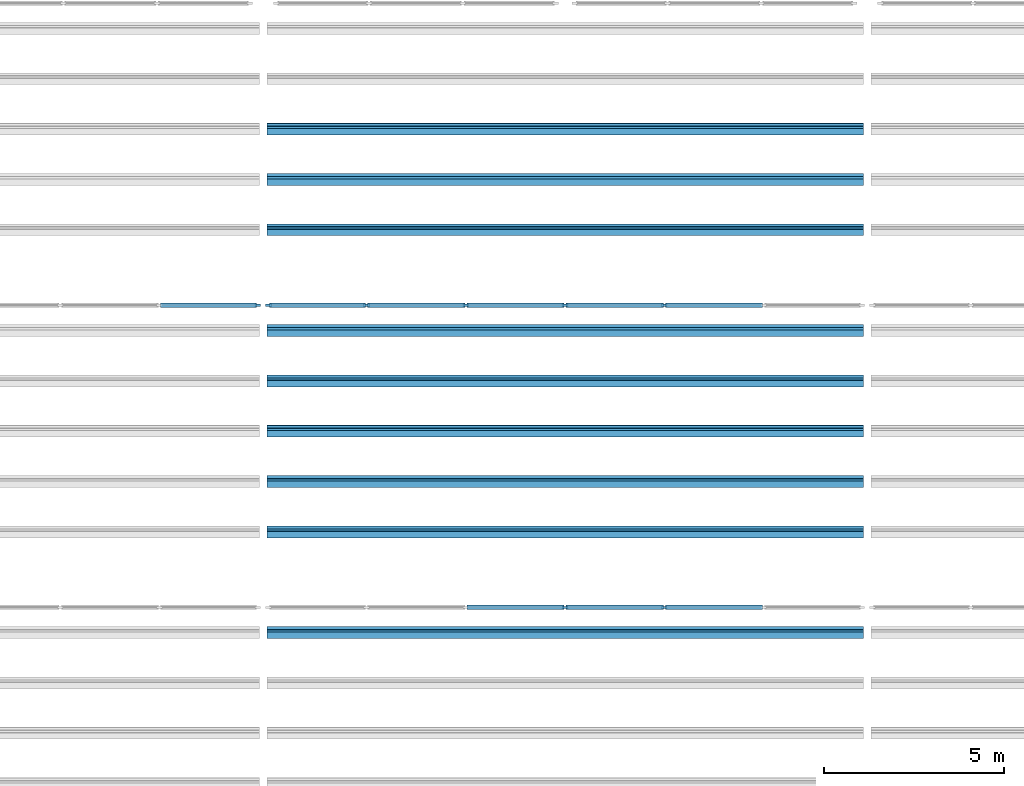
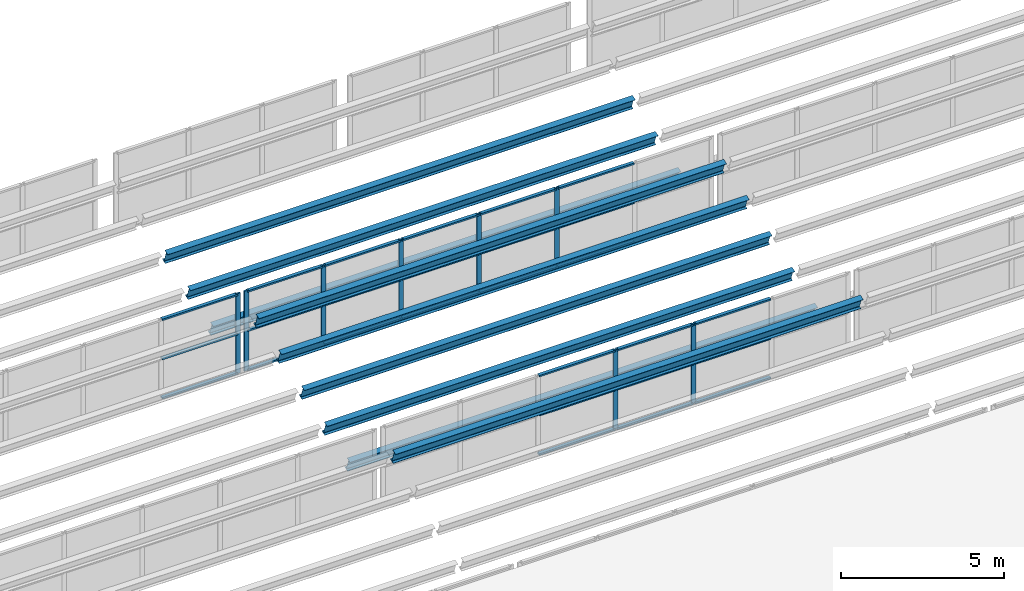
# One storey, part 15 of 116: 44 members, 3 elements without a shape of their own.
"""IFC4 building model written with IfcOpenShell, lengths in metres."""

from ifc_helpers import new_model, si_unit, direction, frame, origin, origin_2d, place, context, subcontext, project, spatial, rectangle, i_section, extrude, material, material_profile, profile_set, type_object, element, aggregate, save


model = new_model("IFC4")

# Units and contexts
model_context = context("Model", 3, precision=1e-05, world=origin(), true_north=direction((0.0, 1.0)))
body_context = subcontext(model_context, "Body", "Model", "MODEL_VIEW")
ifc_project = project(units=[si_unit("LENGTHUNIT", "METRE"), si_unit("AREAUNIT", "SQUARE_METRE"), si_unit("VOLUMEUNIT", "CUBIC_METRE"), si_unit("PLANEANGLEUNIT", "RADIAN"), si_unit("MASSUNIT", "GRAM", prefix="KILO")], contexts=[model_context])

# Site, building, storey
site_placement = place(None, origin())
site = spatial("IfcSite", under=ifc_project, at=site_placement, CompositionType="ELEMENT")
building_placement = place(site_placement, origin())
building = spatial("IfcBuilding", under=site, at=building_placement, Name="Fescue Hill Polytechnic", CompositionType="ELEMENT")
storey_placement = place(building_placement, frame((0.0, 0.0, 13.5)))
storey = spatial("IfcBuildingStorey", under=building, at=storey_placement, Name="L03", CompositionType="ELEMENT", Elevation=13.5)

# Curtain wall, members
ifc_material_1 = material(Name="Aluminium and glass", Category="aluminium")
curtain_wall_type = type_object("IfcCurtainWallType", Name="Sawtooth north glazing curtain wall", PredefinedType="NOTDEFINED", material=ifc_material_1)
curtain_wall_1_placement = place(storey_placement, origin())
curtain_wall_1 = element("IfcCurtainWall", 1, at=curtain_wall_1_placement, inside=storey, type_object=curtain_wall_type, Name="Sawtooth 2 north glazing bay 4", PredefinedType="NOTDEFINED")
ifc_material_2 = material(Name="Aluminium", Category="aluminium")
ifc_material_profile_1 = material_profile(ifc_material_2, rectangle(XDim=0.06005859375, YDim=0.159912109375, at=origin_2d()), Name="Curtain wall mullion 60x160")
ifc_profile_set_1 = profile_set([ifc_material_profile_1], Name="Aluminium")
member_type_1 = type_object("IfcMemberType", Name="Curtain wall mullion 60x160", PredefinedType="MULLION", material=ifc_profile_set_1)
member_1_placement = place(storey_placement, frame((58.800048828125, 33.60009765625, 0.0), z_axis=(0.0, 0.0, 1.0), x_axis=(0.0, 1.0, 0.0)))
member_1 = element("IfcMember", 2, at=member_1_placement, type_object=member_type_1, Name="CW11 mullion 4", PredefinedType="MULLION", context=body_context, shape_type="SweptSolid", body=[
    extrude(rectangle(XDim=0.06005859375, YDim=0.159912109375, at=origin_2d()), origin(), (0.0, 0.0, 1.0), 3.0),
])
member_2_placement = place(storey_placement, frame((61.56005859375, 33.60009765625, 0.0), z_axis=(0.0, 0.0, 1.0), x_axis=(0.0, 1.0, 0.0)))
member_2 = element("IfcMember", 3, at=member_2_placement, type_object=member_type_1, Name="CW11 mullion 5", PredefinedType="MULLION", context=body_context, shape_type="SweptSolid", body=[
    extrude(rectangle(XDim=0.06005859375, YDim=0.159912109375, at=origin_2d()), origin(), (0.0, 0.0, 1.0), 3.0),
])

# Curtain wall, member
curtain_wall_2_placement = place(storey_placement, origin())
curtain_wall_2 = element("IfcCurtainWall", 4, at=curtain_wall_2_placement, inside=storey, type_object=curtain_wall_type, Name="Sawtooth 3 north glazing bay 3", PredefinedType="NOTDEFINED")
member_3_placement = place(storey_placement, frame((50.25, 42.0, 0.0), z_axis=(0.0, 0.0, 1.0), x_axis=(0.0, 1.0, 0.0)))
member_3 = element("IfcMember", 5, at=member_3_placement, type_object=member_type_1, Name="CW17 mullion 7", PredefinedType="MULLION", context=body_context, shape_type="SweptSolid", body=[
    extrude(rectangle(XDim=0.06005859375, YDim=0.159912109375, at=origin_2d()), origin(), (0.0, 0.0, 1.0), 3.0),
])

# Curtain wall, members
curtain_wall_3_placement = place(storey_placement, origin())
curtain_wall_3 = element("IfcCurtainWall", 6, at=curtain_wall_3_placement, inside=storey, type_object=curtain_wall_type, Name="Sawtooth 3 north glazing bay 4", PredefinedType="NOTDEFINED")
member_4_placement = place(storey_placement, frame((50.550048828125, 42.0, 0.0), z_axis=(0.0, 0.0, 1.0), x_axis=(0.0, 1.0, 0.0)))
member_4 = element("IfcMember", 7, at=member_4_placement, type_object=member_type_1, Name="CW18 mullion 1", PredefinedType="MULLION", context=body_context, shape_type="SweptSolid", body=[
    extrude(rectangle(XDim=0.06005859375, YDim=0.159912109375, at=origin_2d()), origin(), (0.0, 0.0, 1.0), 3.0),
])
member_5_placement = place(storey_placement, frame((53.280029296875, 42.0, 0.0), z_axis=(0.0, 0.0, 1.0), x_axis=(0.0, 1.0, 0.0)))
member_5 = element("IfcMember", 8, at=member_5_placement, type_object=member_type_1, Name="CW18 mullion 2", PredefinedType="MULLION", context=body_context, shape_type="SweptSolid", body=[
    extrude(rectangle(XDim=0.06005859375, YDim=0.159912109375, at=origin_2d()), origin(), (0.0, 0.0, 1.0), 3.0),
])
member_6_placement = place(storey_placement, frame((56.0400390625, 42.0, 0.0), z_axis=(0.0, 0.0, 1.0), x_axis=(0.0, 1.0, 0.0)))
member_6 = element("IfcMember", 9, at=member_6_placement, type_object=member_type_1, Name="CW18 mullion 3", PredefinedType="MULLION", context=body_context, shape_type="SweptSolid", body=[
    extrude(rectangle(XDim=0.06005859375, YDim=0.159912109375, at=origin_2d()), origin(), (0.0, 0.0, 1.0), 3.0),
])
member_7_placement = place(storey_placement, frame((58.800048828125, 42.0, 0.0), z_axis=(0.0, 0.0, 1.0), x_axis=(0.0, 1.0, 0.0)))
member_7 = element("IfcMember", 10, at=member_7_placement, type_object=member_type_1, Name="CW18 mullion 4", PredefinedType="MULLION", context=body_context, shape_type="SweptSolid", body=[
    extrude(rectangle(XDim=0.06005859375, YDim=0.159912109375, at=origin_2d()), origin(), (0.0, 0.0, 1.0), 3.0),
])
member_8_placement = place(storey_placement, frame((61.56005859375, 42.0, 0.0), z_axis=(0.0, 0.0, 1.0), x_axis=(0.0, 1.0, 0.0)))
member_8 = element("IfcMember", 11, at=member_8_placement, type_object=member_type_1, Name="CW18 mullion 5", PredefinedType="MULLION", context=body_context, shape_type="SweptSolid", body=[
    extrude(rectangle(XDim=0.06005859375, YDim=0.159912109375, at=origin_2d()), origin(), (0.0, 0.0, 1.0), 3.0),
])

# Member
ifc_material_profile_2 = material_profile(ifc_material_2, rectangle(XDim=0.1201171875, YDim=0.06005859375, at=origin_2d()), Name="Curtain wall transom 60x120")
ifc_profile_set_2 = profile_set([ifc_material_profile_2], Name="Aluminium")
member_type_2 = type_object("IfcMemberType", Name="Curtain wall transom 60x120", PredefinedType="USERDEFINED", material=ifc_profile_set_2)
member_9_placement = place(storey_placement, frame((56.070068359375, 33.60009765625, 0.030029296875), z_axis=(1.0, 0.0, 0.0), x_axis=(0.0, 1.0, 0.0)))
member_9 = element("IfcMember", 12, at=member_9_placement, type_object=member_type_2, Name="CW11 transom 3.1", ObjectType="TRANSOM", PredefinedType="USERDEFINED", context=body_context, shape_type="SweptSolid", body=[
    extrude(rectangle(XDim=0.1201171875, YDim=0.06005859375, at=origin_2d()), origin(), (0.0, 0.0, 1.0), 2.699951171875),
])

member_10_placement = place(storey_placement, frame((56.070068359375, 33.60009765625, 1.5), z_axis=(1.0, 0.0, 0.0), x_axis=(0.0, 1.0, 0.0)))
member_10 = element("IfcMember", 13, at=member_10_placement, type_object=member_type_2, Name="CW11 transom 3.2", ObjectType="TRANSOM", PredefinedType="USERDEFINED", context=body_context, shape_type="SweptSolid", body=[
    extrude(rectangle(XDim=0.1201171875, YDim=0.06005859375, at=origin_2d()), origin(), (0.0, 0.0, 1.0), 2.699951171875),
])

member_11_placement = place(storey_placement, frame((56.070068359375, 33.60009765625, 2.969970703125), z_axis=(1.0, 0.0, 0.0), x_axis=(0.0, 1.0, 0.0)))
member_11 = element("IfcMember", 14, at=member_11_placement, type_object=member_type_2, Name="CW11 transom 3.3", ObjectType="TRANSOM", PredefinedType="USERDEFINED", context=body_context, shape_type="SweptSolid", body=[
    extrude(rectangle(XDim=0.1201171875, YDim=0.06005859375, at=origin_2d()), origin(), (0.0, 0.0, 1.0), 2.699951171875),
])

member_12_placement = place(storey_placement, frame((58.830078125, 33.60009765625, 0.030029296875), z_axis=(1.0, 0.0, 0.0), x_axis=(0.0, 1.0, 0.0)))
member_12 = element("IfcMember", 15, at=member_12_placement, type_object=member_type_2, Name="CW11 transom 4.1", ObjectType="TRANSOM", PredefinedType="USERDEFINED", context=body_context, shape_type="SweptSolid", body=[
    extrude(rectangle(XDim=0.1201171875, YDim=0.06005859375, at=origin_2d()), origin(), (0.0, 0.0, 1.0), 2.699951171875),
])

member_13_placement = place(storey_placement, frame((58.830078125, 33.60009765625, 1.5), z_axis=(1.0, 0.0, 0.0), x_axis=(0.0, 1.0, 0.0)))
member_13 = element("IfcMember", 16, at=member_13_placement, type_object=member_type_2, Name="CW11 transom 4.2", ObjectType="TRANSOM", PredefinedType="USERDEFINED", context=body_context, shape_type="SweptSolid", body=[
    extrude(rectangle(XDim=0.1201171875, YDim=0.06005859375, at=origin_2d()), origin(), (0.0, 0.0, 1.0), 2.699951171875),
])

member_14_placement = place(storey_placement, frame((58.830078125, 33.60009765625, 2.969970703125), z_axis=(1.0, 0.0, 0.0), x_axis=(0.0, 1.0, 0.0)))
member_14 = element("IfcMember", 17, at=member_14_placement, type_object=member_type_2, Name="CW11 transom 4.3", ObjectType="TRANSOM", PredefinedType="USERDEFINED", context=body_context, shape_type="SweptSolid", body=[
    extrude(rectangle(XDim=0.1201171875, YDim=0.06005859375, at=origin_2d()), origin(), (0.0, 0.0, 1.0), 2.699951171875),
])

member_15_placement = place(storey_placement, frame((61.590087890625, 33.60009765625, 0.030029296875), z_axis=(1.0, 0.0, 0.0), x_axis=(0.0, 1.0, 0.0)))
member_15 = element("IfcMember", 18, at=member_15_placement, type_object=member_type_2, Name="CW11 transom 5.1", ObjectType="TRANSOM", PredefinedType="USERDEFINED", context=body_context, shape_type="SweptSolid", body=[
    extrude(rectangle(XDim=0.1201171875, YDim=0.06005859375, at=origin_2d()), origin(), (0.0, 0.0, 1.0), 2.699951171875),
])

member_16_placement = place(storey_placement, frame((61.590087890625, 33.60009765625, 1.5), z_axis=(1.0, 0.0, 0.0), x_axis=(0.0, 1.0, 0.0)))
member_16 = element("IfcMember", 19, at=member_16_placement, type_object=member_type_2, Name="CW11 transom 5.2", ObjectType="TRANSOM", PredefinedType="USERDEFINED", context=body_context, shape_type="SweptSolid", body=[
    extrude(rectangle(XDim=0.1201171875, YDim=0.06005859375, at=origin_2d()), origin(), (0.0, 0.0, 1.0), 2.699951171875),
])

member_17_placement = place(storey_placement, frame((61.590087890625, 33.60009765625, 2.969970703125), z_axis=(1.0, 0.0, 0.0), x_axis=(0.0, 1.0, 0.0)))
member_17 = element("IfcMember", 20, at=member_17_placement, type_object=member_type_2, Name="CW11 transom 5.3", ObjectType="TRANSOM", PredefinedType="USERDEFINED", context=body_context, shape_type="SweptSolid", body=[
    extrude(rectangle(XDim=0.1201171875, YDim=0.06005859375, at=origin_2d()), origin(), (0.0, 0.0, 1.0), 2.699951171875),
])

aggregate(curtain_wall_1, [member_1, member_2, member_9, member_10, member_11, member_12, member_13, member_14, member_15, member_16, member_17])

member_18_placement = place(storey_placement, frame((47.550048828125, 42.0, 0.030029296875), z_axis=(1.0, 0.0, 0.0), x_axis=(0.0, 1.0, 0.0)))
member_18 = element("IfcMember", 21, at=member_18_placement, type_object=member_type_2, Name="CW17 transom 6.1", ObjectType="TRANSOM", PredefinedType="USERDEFINED", context=body_context, shape_type="SweptSolid", body=[
    extrude(rectangle(XDim=0.1201171875, YDim=0.06005859375, at=origin_2d()), origin(), (0.0, 0.0, 1.0), 2.669921875),
])

member_19_placement = place(storey_placement, frame((47.550048828125, 42.0, 1.5), z_axis=(1.0, 0.0, 0.0), x_axis=(0.0, 1.0, 0.0)))
member_19 = element("IfcMember", 22, at=member_19_placement, type_object=member_type_2, Name="CW17 transom 6.2", ObjectType="TRANSOM", PredefinedType="USERDEFINED", context=body_context, shape_type="SweptSolid", body=[
    extrude(rectangle(XDim=0.1201171875, YDim=0.06005859375, at=origin_2d()), origin(), (0.0, 0.0, 1.0), 2.669921875),
])

member_20_placement = place(storey_placement, frame((47.550048828125, 42.0, 2.969970703125), z_axis=(1.0, 0.0, 0.0), x_axis=(0.0, 1.0, 0.0)))
member_20 = element("IfcMember", 23, at=member_20_placement, type_object=member_type_2, Name="CW17 transom 6.3", ObjectType="TRANSOM", PredefinedType="USERDEFINED", context=body_context, shape_type="SweptSolid", body=[
    extrude(rectangle(XDim=0.1201171875, YDim=0.06005859375, at=origin_2d()), origin(), (0.0, 0.0, 1.0), 2.669921875),
])

aggregate(curtain_wall_2, [member_3, member_18, member_19, member_20])

member_21_placement = place(storey_placement, frame((50.580078125, 42.0, 0.030029296875), z_axis=(1.0, 0.0, 0.0), x_axis=(0.0, 1.0, 0.0)))
member_21 = element("IfcMember", 24, at=member_21_placement, type_object=member_type_2, Name="CW18 transom 1.1", ObjectType="TRANSOM", PredefinedType="USERDEFINED", context=body_context, shape_type="SweptSolid", body=[
    extrude(rectangle(XDim=0.1201171875, YDim=0.06005859375, at=origin_2d()), origin(), (0.0, 0.0, 1.0), 2.669921875),
])

member_22_placement = place(storey_placement, frame((50.580078125, 42.0, 1.5), z_axis=(1.0, 0.0, 0.0), x_axis=(0.0, 1.0, 0.0)))
member_22 = element("IfcMember", 25, at=member_22_placement, type_object=member_type_2, Name="CW18 transom 1.2", ObjectType="TRANSOM", PredefinedType="USERDEFINED", context=body_context, shape_type="SweptSolid", body=[
    extrude(rectangle(XDim=0.1201171875, YDim=0.06005859375, at=origin_2d()), origin(), (0.0, 0.0, 1.0), 2.669921875),
])

member_23_placement = place(storey_placement, frame((50.580078125, 42.0, 2.969970703125), z_axis=(1.0, 0.0, 0.0), x_axis=(0.0, 1.0, 0.0)))
member_23 = element("IfcMember", 26, at=member_23_placement, type_object=member_type_2, Name="CW18 transom 1.3", ObjectType="TRANSOM", PredefinedType="USERDEFINED", context=body_context, shape_type="SweptSolid", body=[
    extrude(rectangle(XDim=0.1201171875, YDim=0.06005859375, at=origin_2d()), origin(), (0.0, 0.0, 1.0), 2.669921875),
])

member_24_placement = place(storey_placement, frame((53.31005859375, 42.0, 0.030029296875), z_axis=(1.0, 0.0, 0.0), x_axis=(0.0, 1.0, 0.0)))
member_24 = element("IfcMember", 27, at=member_24_placement, type_object=member_type_2, Name="CW18 transom 2.1", ObjectType="TRANSOM", PredefinedType="USERDEFINED", context=body_context, shape_type="SweptSolid", body=[
    extrude(rectangle(XDim=0.1201171875, YDim=0.06005859375, at=origin_2d()), origin(), (0.0, 0.0, 1.0), 2.699951171875),
])

member_25_placement = place(storey_placement, frame((53.31005859375, 42.0, 1.5), z_axis=(1.0, 0.0, 0.0), x_axis=(0.0, 1.0, 0.0)))
member_25 = element("IfcMember", 28, at=member_25_placement, type_object=member_type_2, Name="CW18 transom 2.2", ObjectType="TRANSOM", PredefinedType="USERDEFINED", context=body_context, shape_type="SweptSolid", body=[
    extrude(rectangle(XDim=0.1201171875, YDim=0.06005859375, at=origin_2d()), origin(), (0.0, 0.0, 1.0), 2.699951171875),
])

member_26_placement = place(storey_placement, frame((53.31005859375, 42.0, 2.969970703125), z_axis=(1.0, 0.0, 0.0), x_axis=(0.0, 1.0, 0.0)))
member_26 = element("IfcMember", 29, at=member_26_placement, type_object=member_type_2, Name="CW18 transom 2.3", ObjectType="TRANSOM", PredefinedType="USERDEFINED", context=body_context, shape_type="SweptSolid", body=[
    extrude(rectangle(XDim=0.1201171875, YDim=0.06005859375, at=origin_2d()), origin(), (0.0, 0.0, 1.0), 2.699951171875),
])

member_27_placement = place(storey_placement, frame((56.070068359375, 42.0, 0.030029296875), z_axis=(1.0, 0.0, 0.0), x_axis=(0.0, 1.0, 0.0)))
member_27 = element("IfcMember", 30, at=member_27_placement, type_object=member_type_2, Name="CW18 transom 3.1", ObjectType="TRANSOM", PredefinedType="USERDEFINED", context=body_context, shape_type="SweptSolid", body=[
    extrude(rectangle(XDim=0.1201171875, YDim=0.06005859375, at=origin_2d()), origin(), (0.0, 0.0, 1.0), 2.699951171875),
])

member_28_placement = place(storey_placement, frame((56.070068359375, 42.0, 1.5), z_axis=(1.0, 0.0, 0.0), x_axis=(0.0, 1.0, 0.0)))
member_28 = element("IfcMember", 31, at=member_28_placement, type_object=member_type_2, Name="CW18 transom 3.2", ObjectType="TRANSOM", PredefinedType="USERDEFINED", context=body_context, shape_type="SweptSolid", body=[
    extrude(rectangle(XDim=0.1201171875, YDim=0.06005859375, at=origin_2d()), origin(), (0.0, 0.0, 1.0), 2.699951171875),
])

member_29_placement = place(storey_placement, frame((56.070068359375, 42.0, 2.969970703125), z_axis=(1.0, 0.0, 0.0), x_axis=(0.0, 1.0, 0.0)))
member_29 = element("IfcMember", 32, at=member_29_placement, type_object=member_type_2, Name="CW18 transom 3.3", ObjectType="TRANSOM", PredefinedType="USERDEFINED", context=body_context, shape_type="SweptSolid", body=[
    extrude(rectangle(XDim=0.1201171875, YDim=0.06005859375, at=origin_2d()), origin(), (0.0, 0.0, 1.0), 2.699951171875),
])

member_30_placement = place(storey_placement, frame((58.830078125, 42.0, 0.030029296875), z_axis=(1.0, 0.0, 0.0), x_axis=(0.0, 1.0, 0.0)))
member_30 = element("IfcMember", 33, at=member_30_placement, type_object=member_type_2, Name="CW18 transom 4.1", ObjectType="TRANSOM", PredefinedType="USERDEFINED", context=body_context, shape_type="SweptSolid", body=[
    extrude(rectangle(XDim=0.1201171875, YDim=0.06005859375, at=origin_2d()), origin(), (0.0, 0.0, 1.0), 2.699951171875),
])

member_31_placement = place(storey_placement, frame((58.830078125, 42.0, 1.5), z_axis=(1.0, 0.0, 0.0), x_axis=(0.0, 1.0, 0.0)))
member_31 = element("IfcMember", 34, at=member_31_placement, type_object=member_type_2, Name="CW18 transom 4.2", ObjectType="TRANSOM", PredefinedType="USERDEFINED", context=body_context, shape_type="SweptSolid", body=[
    extrude(rectangle(XDim=0.1201171875, YDim=0.06005859375, at=origin_2d()), origin(), (0.0, 0.0, 1.0), 2.699951171875),
])

member_32_placement = place(storey_placement, frame((58.830078125, 42.0, 2.969970703125), z_axis=(1.0, 0.0, 0.0), x_axis=(0.0, 1.0, 0.0)))
member_32 = element("IfcMember", 35, at=member_32_placement, type_object=member_type_2, Name="CW18 transom 4.3", ObjectType="TRANSOM", PredefinedType="USERDEFINED", context=body_context, shape_type="SweptSolid", body=[
    extrude(rectangle(XDim=0.1201171875, YDim=0.06005859375, at=origin_2d()), origin(), (0.0, 0.0, 1.0), 2.699951171875),
])

member_33_placement = place(storey_placement, frame((61.590087890625, 42.0, 0.030029296875), z_axis=(1.0, 0.0, 0.0), x_axis=(0.0, 1.0, 0.0)))
member_33 = element("IfcMember", 36, at=member_33_placement, type_object=member_type_2, Name="CW18 transom 5.1", ObjectType="TRANSOM", PredefinedType="USERDEFINED", context=body_context, shape_type="SweptSolid", body=[
    extrude(rectangle(XDim=0.1201171875, YDim=0.06005859375, at=origin_2d()), origin(), (0.0, 0.0, 1.0), 2.699951171875),
])

member_34_placement = place(storey_placement, frame((61.590087890625, 42.0, 1.5), z_axis=(1.0, 0.0, 0.0), x_axis=(0.0, 1.0, 0.0)))
member_34 = element("IfcMember", 37, at=member_34_placement, type_object=member_type_2, Name="CW18 transom 5.2", ObjectType="TRANSOM", PredefinedType="USERDEFINED", context=body_context, shape_type="SweptSolid", body=[
    extrude(rectangle(XDim=0.1201171875, YDim=0.06005859375, at=origin_2d()), origin(), (0.0, 0.0, 1.0), 2.699951171875),
])

member_35_placement = place(storey_placement, frame((61.590087890625, 42.0, 2.969970703125), z_axis=(1.0, 0.0, 0.0), x_axis=(0.0, 1.0, 0.0)))
member_35 = element("IfcMember", 38, at=member_35_placement, type_object=member_type_2, Name="CW18 transom 5.3", ObjectType="TRANSOM", PredefinedType="USERDEFINED", context=body_context, shape_type="SweptSolid", body=[
    extrude(rectangle(XDim=0.1201171875, YDim=0.06005859375, at=origin_2d()), origin(), (0.0, 0.0, 1.0), 2.699951171875),
])

aggregate(curtain_wall_3, [member_4, member_5, member_6, member_7, member_8, member_21, member_22, member_23, member_24, member_25, member_26, member_27, member_28, member_29, member_30, member_31, member_32, member_33, member_34, member_35])

# Members
ifc_material_3 = material(Name="Steel 350W (350 MPa)", Category="steel")
ifc_material_profile_3 = material_profile(ifc_material_3, i_section(OverallWidth=0.18994140625, OverallDepth=0.45703125, WebThickness=0.009033203125, FlangeThickness=0.014404296875, FilletRadius=0.0166015625, at=origin_2d()), Name="W460x74")
ifc_profile_set_3 = profile_set([ifc_material_profile_3], Name="Steel 350W (350 MPa)")
member_type_3 = type_object("IfcMemberType", Name="Tooth purlin W460x74", PredefinedType="PURLIN", material=ifc_profile_set_3)
for number, where, z_axis, x_axis, name in (
    (39, (50.50439453125, 35.699951171875, 0.294921875), (1.0, 0.0, 0.0), (0.0, 0.941741911595, 0.336336396997), "Tooth 3 purlin 2 bay 4"),
    (40, (50.50439453125, 37.10009765625, 0.794921875), (1.0, 0.0, 0.0), (0.0, 0.941741911595, 0.336336396997), "Tooth 3 purlin 3 bay 4"),
    (41, (50.50439453125, 38.5, 1.294921875), (1.0, 0.0, 0.0), (0.0, 0.941741911595, 0.336336396997), "Tooth 3 purlin 4 bay 4"),
    (42, (50.50439453125, 39.89990234375, 1.794921875), (1.0, 0.0, 0.0), (0.0, 0.941741911595, 0.336336396997), "Tooth 3 purlin 5 bay 4"),
    (43, (50.50439453125, 44.10009765625, 0.294921875), (1.0, 0.0, 0.0), (0.0, 0.941741911595, 0.336336396997), "Tooth 4 purlin 2 bay 4"),
    (44, (50.50439453125, 45.5, 0.794921875), (1.0, 0.0, 0.0), (0.0, 0.941741911595, 0.336336396997), "Tooth 4 purlin 3 bay 4"),
    (45, (50.50439453125, 46.89990234375, 1.294921875), (1.0, 0.0, 0.0), (0.0, 0.941741911595, 0.336336396997), "Tooth 4 purlin 4 bay 4"),
):
    element("IfcMember", number, at=place(storey_placement, frame(where, z_axis=z_axis, x_axis=x_axis)), inside=storey, type_object=member_type_3, Name=name, PredefinedType="PURLIN", context=body_context, shape_type="SweptSolid", body=[
        extrude(i_section(OverallWidth=0.18994140625, OverallDepth=0.45703125, WebThickness=0.009033203125, FlangeThickness=0.014404296875, FilletRadius=0.0166015625, at=origin_2d()), origin(), (0.0, 0.0, 1.0), 16.591064453125),
    ])
ifc_material_profile_4 = material_profile(ifc_material_3, i_section(OverallWidth=0.193115234375, OverallDepth=0.466064453125, WebThickness=0.011474609375, FlangeThickness=0.01904296875, FilletRadius=0.01708984375, at=origin_2d()), Name="W460x97")
ifc_profile_set_4 = profile_set([ifc_material_profile_4], Name="Steel 350W (350 MPa)")
member_type_4 = type_object("IfcMemberType", Name="Tooth ridge purlin W460x97", PredefinedType="PURLIN", material=ifc_profile_set_4)
for number, where, z_axis, x_axis, name in (
    (46, (50.50439453125, 32.89990234375, 2.290283203125), (1.0, 0.0, 0.0), (0.0, 0.941741911595, 0.336336396997), "Tooth 2 ridge purlin bay 4"),
    (47, (50.50439453125, 41.300048828125, 2.290283203125), (1.0, 0.0, 0.0), (0.0, 0.941741911595, 0.336336396997), "Tooth 3 ridge purlin bay 4"),
):
    element("IfcMember", number, at=place(storey_placement, frame(where, z_axis=z_axis, x_axis=x_axis)), inside=storey, type_object=member_type_4, Name=name, PredefinedType="PURLIN", context=body_context, shape_type="SweptSolid", body=[
        extrude(i_section(OverallWidth=0.193115234375, OverallDepth=0.466064453125, WebThickness=0.011474609375, FlangeThickness=0.01904296875, FilletRadius=0.01708984375, at=origin_2d()), origin(), (0.0, 0.0, 1.0), 16.591064453125),
    ])

save(model, "model.ifc")
